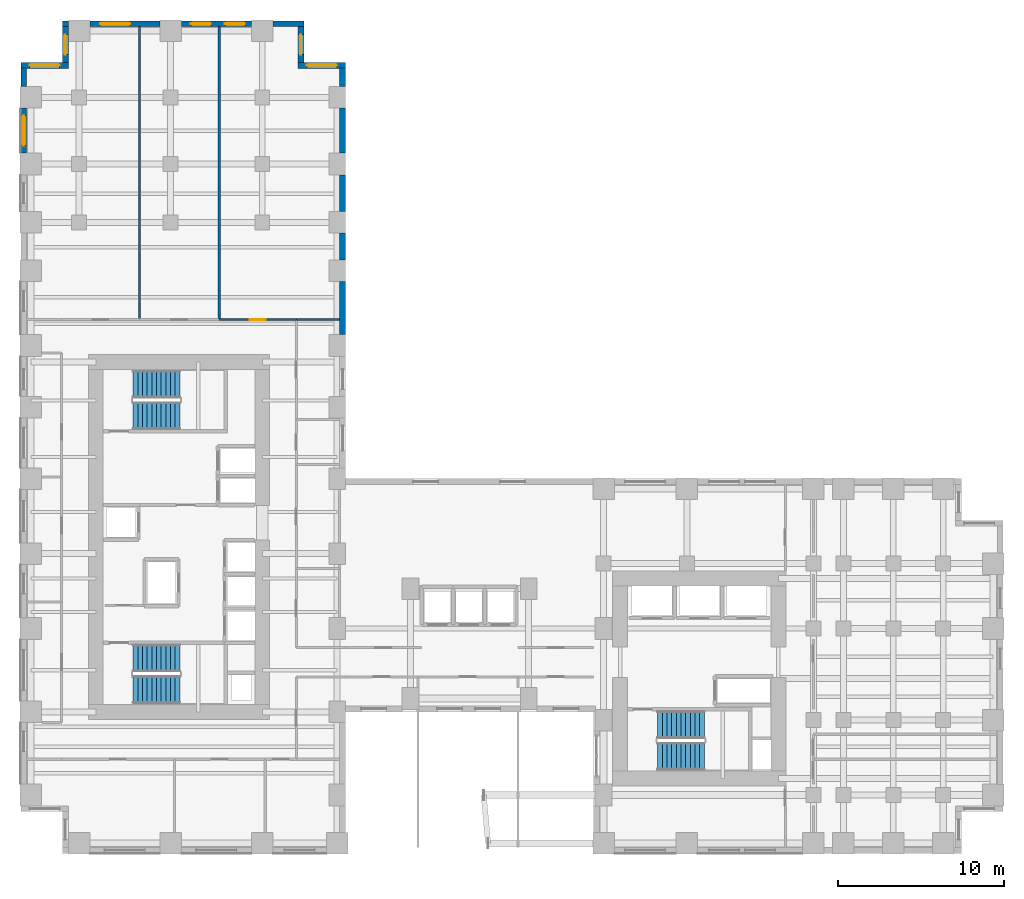
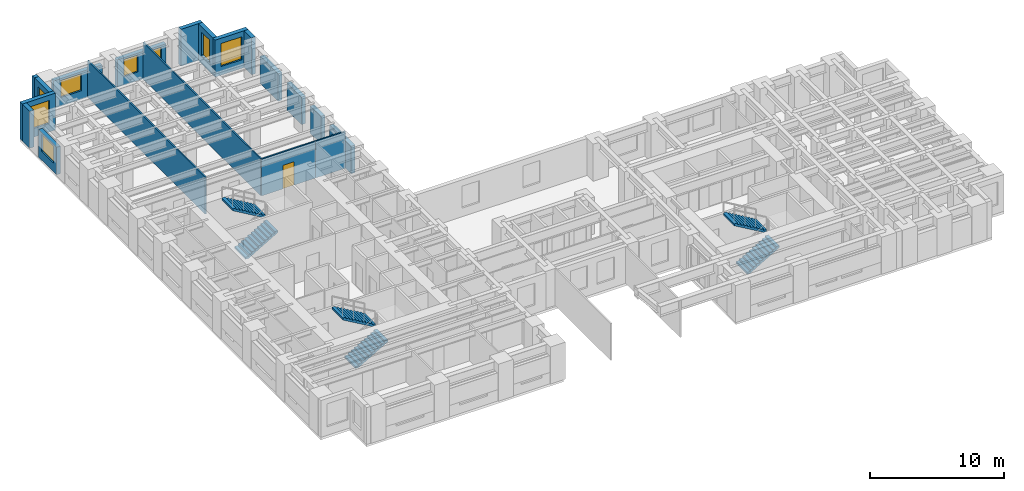
# One storey, part 12 of 14: 19 walls, 8 windows, 6 stair flights, 1 door, 9 openings, 3 elements without a shape of their own.
"""IFC4 building model written with IfcOpenShell, lengths in metres."""

from ifc_helpers import new_model, si_unit, direction, frame, frame_2d, origin, place, context, subcontext, project, spatial, polyline, rectangle, outline, extrude, source, transform, mapped, material, layer, layer_set, type_object, element, fill, aggregate, save


model = new_model("IFC4")

# Units and contexts
model_context = context("Model", 3, precision=1e-05, world=origin(), true_north=direction((0.0, 1.0)))
body_context = subcontext(model_context, "Body", "Model", "MODEL_VIEW")
ifc_project = project(units=[si_unit("LENGTHUNIT", "METRE"), si_unit("AREAUNIT", "SQUARE_METRE"), si_unit("VOLUMEUNIT", "CUBIC_METRE"), si_unit("PLANEANGLEUNIT", "RADIAN"), si_unit("MASSUNIT", "GRAM", prefix="KILO")], contexts=[model_context])

# Site, building, storey
site_placement = place(None, origin())
site = spatial("IfcSite", under=ifc_project, at=site_placement, CompositionType="ELEMENT")
building_placement = place(site_placement, origin())
building = spatial("IfcBuilding", under=site, at=building_placement, Name="Kharzan Plaza Tower", CompositionType="ELEMENT")
storey_placement = place(building_placement, frame((0.0, 0.0, 58.5)))
storey = spatial("IfcBuildingStorey", under=building, at=storey_placement, Name="L15", CompositionType="ELEMENT", Elevation=58.5)

# Wall, opening, window
ifc_material_1 = material(Name="Concrete C40/50", Category="concrete")
ifc_layer_1 = layer(ifc_material_1, 0.35009765625)
ifc_layer_set_1 = layer_set([ifc_layer_1], Name="Concrete C40/50")
wall_type_1 = type_object("IfcWallType", Name="WL-EXT-MAS-Z1", PredefinedType="SOLIDWALL", material=ifc_layer_set_1)
wall_1_placement = place(storey_placement, frame((19.5, 47.324951171875, 0.0), z_axis=(0.0, 0.0, 1.0), x_axis=(-1.0, 0.0, 0.0)))
wall_1 = element("IfcWall", 1, at=wall_1_placement, inside=storey, type_object=wall_type_1, Name="L15 Masonry-Frame Exterior Wall 01", PredefinedType="SOLIDWALL", context=body_context, shape_type="SweptSolid", body=[
    extrude(rectangle(XDim=2.85009765625, YDim=0.35009765625, at=frame_2d((1.425048828125, 0.0))), origin(), (0.0, 0.0, 1.0), 3.364990234375),
])
opening_1_placement = place(wall_1_placement, frame((0.52490234375, 0.0, 0.780029296875)))
opening_1 = element("IfcOpeningElement", 2, at=opening_1_placement, cuts=wall_1, Name="Opening W1", PredefinedType="OPENING", context=body_context, shape_type="SweptSolid", body=[
    extrude(rectangle(XDim=1.800048828125, YDim=2.10009765625, at=frame_2d((0.89990234375, 1.050048828125))), frame((0.0, 0.18505859375, 0.0), z_axis=(0.0, -1.0, 0.0), x_axis=(1.0, 0.0, 0.0)), (0.0, 0.0, 1.0), 0.3701171875),
])
ifc_material_2 = material(Name="Low-E Double Glazing", Category="glass")
window_type_1 = type_object("IfcWindowType", Name="WN-REC-1800x2100", PartitioningType="SINGLE_PANEL", PredefinedType="WINDOW", material=ifc_material_2)
shared_shape_1 = source(origin(), body_context, "Body", "SweptSolid", [
    extrude(rectangle(XDim=1.800048828125, YDim=2.10009765625, at=frame_2d((0.89990234375, 1.050048828125))), frame((0.0, 0.030029296875, 0.0), z_axis=(0.0, -1.0, 0.0), x_axis=(1.0, 0.0, 0.0)), (0.0, 0.0, 1.0), 0.06005859375),
])
window_1_placement = place(opening_1_placement, origin())
window_1 = element("IfcWindow", 3, at=window_1_placement, inside=storey, type_object=window_type_1, Name="L15 Recessed Solar-Control Window 01-1", OverallHeight=2.10009765625, OverallWidth=1.800048828125, PartitioningType="SINGLE_PANEL", PredefinedType="WINDOW", context=body_context, shape_type="MappedRepresentation", body=[
    mapped(shared_shape_1, transform((0.0, 0.0, 0.0), x_axis=(1.0, 0.0, 0.0), y_axis=(0.0, 1.0, 0.0), z_axis=(0.0, 0.0, 1.0))),
])
fill(opening_1, window_1)

wall_2_placement = place(storey_placement, frame((16.824951171875, 47.498046875, 0.0), z_axis=(0.0, 0.0, 1.0), x_axis=(0.0, 1.0, 0.0)))
wall_2 = element("IfcWall", 4, at=wall_2_placement, inside=storey, type_object=wall_type_1, Name="L15 Masonry-Frame Exterior Wall 02", PredefinedType="SOLIDWALL", context=body_context, shape_type="SweptSolid", body=[
    extrude(rectangle(XDim=2.154052734375, YDim=0.35009765625, at=frame_2d((1.0771484375, 0.0))), origin(), (0.0, 0.0, 1.0), 3.364990234375),
])
opening_2_placement = place(wall_2_placement, frame((0.47705078125, 0.0, 0.780029296875)))
opening_2 = element("IfcOpeningElement", 5, at=opening_2_placement, cuts=wall_2, Name="Opening W3", PredefinedType="OPENING", context=body_context, shape_type="SweptSolid", body=[
    extrude(rectangle(XDim=1.199951171875, YDim=2.10009765625, at=frame_2d((0.60009765625, 1.050048828125))), frame((0.0, 0.18505859375, 0.0), z_axis=(0.0, -1.0, 0.0), x_axis=(1.0, 0.0, 0.0)), (0.0, 0.0, 1.0), 0.3701171875),
])
window_type_2 = type_object("IfcWindowType", Name="WN-REC-1200x2100", PartitioningType="SINGLE_PANEL", PredefinedType="WINDOW", material=ifc_material_2)
shared_shape_2 = source(origin(), body_context, "Body", "SweptSolid", [
    extrude(rectangle(XDim=1.199951171875, YDim=2.10009765625, at=frame_2d((0.60009765625, 1.050048828125))), frame((0.0, 0.030029296875, 0.0), z_axis=(0.0, -1.0, 0.0), x_axis=(1.0, 0.0, 0.0)), (0.0, 0.0, 1.0), 0.06005859375),
])
window_2_placement = place(opening_2_placement, origin())
window_2 = element("IfcWindow", 6, at=window_2_placement, inside=storey, type_object=window_type_2, Name="L15 Recessed Solar-Control Window 02-1", OverallHeight=2.10009765625, OverallWidth=1.199951171875, PartitioningType="SINGLE_PANEL", PredefinedType="WINDOW", context=body_context, shape_type="MappedRepresentation", body=[
    mapped(shared_shape_2, transform((0.0, 0.0, 0.0), x_axis=(1.0, 0.0, 0.0), y_axis=(0.0, 1.0, 0.0), z_axis=(0.0, 0.0, 1.0))),
])
fill(opening_2, window_2)

# Wall, openings, windows
wall_3_placement = place(storey_placement, frame((13.85205078125, 49.824951171875, 0.0), z_axis=(0.0, 0.0, 1.0), x_axis=(-1.0, 0.0, 0.0)))
wall_3 = element("IfcWall", 7, at=wall_3_placement, inside=storey, type_object=wall_type_1, Name="L15 Masonry-Frame Exterior Wall 04", PredefinedType="SOLIDWALL", context=body_context, shape_type="SweptSolid", body=[
    extrude(rectangle(XDim=4.2041015625, YDim=0.35009765625, at=frame_2d((2.10205078125, 0.0))), origin(), (0.0, 0.0, 1.0), 2.510009765625),
])
opening_3_placement = place(wall_3_placement, frame((0.403076171875, 0.0, 0.780029296875)))
opening_3 = element("IfcOpeningElement", 8, at=opening_3_placement, cuts=wall_3, Name="Opening W3", PredefinedType="OPENING", context=body_context, shape_type="SweptSolid", body=[
    extrude(rectangle(XDim=1.199951171875, YDim=1.550048828125, at=frame_2d((0.60009765625, 0.77490234375))), frame((0.0, 0.18505859375, 0.0), z_axis=(0.0, -1.0, 0.0), x_axis=(1.0, 0.0, 0.0)), (0.0, 0.0, 1.0), 0.3701171875),
])
opening_4_placement = place(wall_3_placement, frame((2.43505859375, 0.0, 0.780029296875)))
opening_4 = element("IfcOpeningElement", 9, at=opening_4_placement, cuts=wall_3, Name="Opening W3", PredefinedType="OPENING", context=body_context, shape_type="SweptSolid", body=[
    extrude(rectangle(XDim=1.199951171875, YDim=1.550048828125, at=frame_2d((0.60009765625, 0.77490234375))), frame((0.0, 0.18505859375, 0.0), z_axis=(0.0, -1.0, 0.0), x_axis=(1.0, 0.0, 0.0)), (0.0, 0.0, 1.0), 0.3701171875),
])
shared_shape_3 = source(origin(), body_context, "Body", "SweptSolid", [
    extrude(rectangle(XDim=1.199951171875, YDim=1.550048828125, at=frame_2d((0.60009765625, 0.77490234375))), frame((0.0, 0.030029296875, 0.0), z_axis=(0.0, -1.0, 0.0), x_axis=(1.0, 0.0, 0.0)), (0.0, 0.0, 1.0), 0.06005859375),
])
window_3_placement = place(opening_3_placement, origin())
window_3 = element("IfcWindow", 10, at=window_3_placement, inside=storey, type_object=window_type_2, Name="L15 Recessed Solar-Control Window 04-1", OverallHeight=1.550048828125, OverallWidth=1.199951171875, PartitioningType="SINGLE_PANEL", PredefinedType="WINDOW", context=body_context, shape_type="MappedRepresentation", body=[
    mapped(shared_shape_3, transform((0.0, 0.0, 0.0), x_axis=(1.0, 0.0, 0.0), y_axis=(0.0, 1.0, 0.0), z_axis=(0.0, 0.0, 1.0))),
])
fill(opening_3, window_3)
window_4_placement = place(opening_4_placement, origin())
window_4 = element("IfcWindow", 11, at=window_4_placement, inside=storey, type_object=window_type_2, Name="L15 Recessed Solar-Control Window 04-2", OverallHeight=1.550048828125, OverallWidth=1.199951171875, PartitioningType="SINGLE_PANEL", PredefinedType="WINDOW", context=body_context, shape_type="MappedRepresentation", body=[
    mapped(shared_shape_3, transform((0.0, 0.0, 0.0), x_axis=(1.0, 0.0, 0.0), y_axis=(0.0, 1.0, 0.0), z_axis=(0.0, 0.0, 1.0))),
])
fill(opening_4, window_4)

# Wall, opening, window
wall_4_placement = place(storey_placement, frame((8.35205078125, 49.824951171875, 0.0), z_axis=(0.0, 0.0, 1.0), x_axis=(-1.0, 0.0, 0.0)))
wall_4 = element("IfcWall", 12, at=wall_4_placement, inside=storey, type_object=wall_type_1, Name="L15 Masonry-Frame Exterior Wall 05", PredefinedType="SOLIDWALL", context=body_context, shape_type="SweptSolid", body=[
    extrude(rectangle(XDim=4.2041015625, YDim=0.35009765625, at=frame_2d((2.10205078125, 0.0))), origin(), (0.0, 0.0, 1.0), 2.510009765625),
])
opening_5_placement = place(wall_4_placement, frame((1.782470703125, 0.0, 0.780029296875)))
opening_5 = element("IfcOpeningElement", 13, at=opening_5_placement, cuts=wall_4, Name="Opening W1", PredefinedType="OPENING", context=body_context, shape_type="SweptSolid", body=[
    extrude(rectangle(XDim=1.800048828125, YDim=1.550048828125, at=frame_2d((0.89990234375, 0.77490234375))), frame((0.0, 0.18505859375, 0.0), z_axis=(0.0, -1.0, 0.0), x_axis=(1.0, 0.0, 0.0)), (0.0, 0.0, 1.0), 0.3701171875),
])
shared_shape_4 = source(origin(), body_context, "Body", "SweptSolid", [
    extrude(rectangle(XDim=1.800048828125, YDim=1.550048828125, at=frame_2d((0.89990234375, 0.77490234375))), frame((0.0, 0.030029296875, 0.0), z_axis=(0.0, -1.0, 0.0), x_axis=(1.0, 0.0, 0.0)), (0.0, 0.0, 1.0), 0.06005859375),
])
window_5_placement = place(opening_5_placement, origin())
window_5 = element("IfcWindow", 14, at=window_5_placement, inside=storey, type_object=window_type_1, Name="L15 Recessed Solar-Control Window 05-1", OverallHeight=1.550048828125, OverallWidth=1.800048828125, PartitioningType="SINGLE_PANEL", PredefinedType="WINDOW", context=body_context, shape_type="MappedRepresentation", body=[
    mapped(shared_shape_4, transform((0.0, 0.0, 0.0), x_axis=(1.0, 0.0, 0.0), y_axis=(0.0, 1.0, 0.0), z_axis=(0.0, 0.0, 1.0))),
])
fill(opening_5, window_5)

wall_5_placement = place(storey_placement, frame((2.675048828125, 49.652099609375, 0.0), z_axis=(0.0, 0.0, 1.0), x_axis=(0.0, -1.0, 0.0)))
wall_5 = element("IfcWall", 15, at=wall_5_placement, inside=storey, type_object=wall_type_1, Name="L15 Masonry-Frame Exterior Wall 07", PredefinedType="SOLIDWALL", context=body_context, shape_type="SweptSolid", body=[
    extrude(rectangle(XDim=2.154052734375, YDim=0.35009765625, at=frame_2d((1.0771484375, 0.0))), origin(), (0.0, 0.0, 1.0), 3.364990234375),
])
opening_6_placement = place(wall_5_placement, frame((0.47705078125, 0.0, 0.780029296875)))
opening_6 = element("IfcOpeningElement", 16, at=opening_6_placement, cuts=wall_5, Name="Opening W3", PredefinedType="OPENING", context=body_context, shape_type="SweptSolid", body=[
    extrude(rectangle(XDim=1.199951171875, YDim=2.10009765625, at=frame_2d((0.60009765625, 1.050048828125))), frame((0.0, 0.18505859375, 0.0), z_axis=(0.0, -1.0, 0.0), x_axis=(1.0, 0.0, 0.0)), (0.0, 0.0, 1.0), 0.3701171875),
])
window_6_placement = place(opening_6_placement, origin())
window_6 = element("IfcWindow", 17, at=window_6_placement, inside=storey, type_object=window_type_2, Name="L15 Recessed Solar-Control Window 07-1", OverallHeight=2.10009765625, OverallWidth=1.199951171875, PartitioningType="SINGLE_PANEL", PredefinedType="WINDOW", context=body_context, shape_type="MappedRepresentation", body=[
    mapped(shared_shape_2, transform((0.0, 0.0, 0.0), x_axis=(1.0, 0.0, 0.0), y_axis=(0.0, 1.0, 0.0), z_axis=(0.0, 0.0, 1.0))),
])
fill(opening_6, window_6)

wall_6_placement = place(storey_placement, frame((2.85009765625, 47.324951171875, 0.0), z_axis=(0.0, 0.0, 1.0), x_axis=(-1.0, 0.0, 0.0)))
wall_6 = element("IfcWall", 18, at=wall_6_placement, inside=storey, type_object=wall_type_1, Name="L15 Masonry-Frame Exterior Wall 08", PredefinedType="SOLIDWALL", context=body_context, shape_type="SweptSolid", body=[
    extrude(rectangle(XDim=2.85009765625, YDim=0.35009765625, at=frame_2d((1.425048828125, 0.0))), origin(), (0.0, 0.0, 1.0), 3.364990234375),
])
opening_7_placement = place(wall_6_placement, frame((0.52490234375, 0.0, 0.780029296875)))
opening_7 = element("IfcOpeningElement", 19, at=opening_7_placement, cuts=wall_6, Name="Opening W1", PredefinedType="OPENING", context=body_context, shape_type="SweptSolid", body=[
    extrude(rectangle(XDim=1.800048828125, YDim=2.10009765625, at=frame_2d((0.89990234375, 1.050048828125))), frame((0.0, 0.18505859375, 0.0), z_axis=(0.0, -1.0, 0.0), x_axis=(1.0, 0.0, 0.0)), (0.0, 0.0, 1.0), 0.3701171875),
])
window_7_placement = place(opening_7_placement, origin())
window_7 = element("IfcWindow", 20, at=window_7_placement, inside=storey, type_object=window_type_1, Name="L15 Recessed Solar-Control Window 08-1", OverallHeight=2.10009765625, OverallWidth=1.800048828125, PartitioningType="SINGLE_PANEL", PredefinedType="WINDOW", context=body_context, shape_type="MappedRepresentation", body=[
    mapped(shared_shape_1, transform((0.0, 0.0, 0.0), x_axis=(1.0, 0.0, 0.0), y_axis=(0.0, 1.0, 0.0), z_axis=(0.0, 0.0, 1.0))),
])
fill(opening_7, window_7)

wall_7_placement = place(storey_placement, frame((0.175048828125, 44.751953125, 0.0), z_axis=(0.0, 0.0, 1.0), x_axis=(0.0, -1.0, 0.0)))
wall_7 = element("IfcWall", 21, at=wall_7_placement, inside=storey, type_object=wall_type_1, Name="L15 Masonry-Frame Exterior Wall 10", PredefinedType="SOLIDWALL", context=body_context, shape_type="SweptSolid", body=[
    extrude(rectangle(XDim=2.703857421875, YDim=0.35009765625, at=frame_2d((1.35205078125, 0.0))), origin(), (0.0, 0.0, 1.0), 2.510009765625),
])
opening_8_placement = place(wall_7_placement, frame((0.451904296875, 0.0, 0.780029296875)))
opening_8 = element("IfcOpeningElement", 22, at=opening_8_placement, cuts=wall_7, Name="Opening W1", PredefinedType="OPENING", context=body_context, shape_type="SweptSolid", body=[
    extrude(rectangle(XDim=1.800048828125, YDim=1.550048828125, at=frame_2d((0.89990234375, 0.77490234375))), frame((0.0, 0.18505859375, 0.0), z_axis=(0.0, -1.0, 0.0), x_axis=(1.0, 0.0, 0.0)), (0.0, 0.0, 1.0), 0.3701171875),
])
window_8_placement = place(opening_8_placement, origin())
window_8 = element("IfcWindow", 23, at=window_8_placement, inside=storey, type_object=window_type_1, Name="L15 Recessed Solar-Control Window 10-1", OverallHeight=1.550048828125, OverallWidth=1.800048828125, PartitioningType="SINGLE_PANEL", PredefinedType="WINDOW", context=body_context, shape_type="MappedRepresentation", body=[
    mapped(shared_shape_4, transform((0.0, 0.0, 0.0), x_axis=(1.0, 0.0, 0.0), y_axis=(0.0, 1.0, 0.0), z_axis=(0.0, 0.0, 1.0))),
])
fill(opening_8, window_8)

# Wall, opening, door
ifc_material_3 = material(Name="Fire-Rated Gypsum Board Partition", Category="gypsum")
ifc_layer_2 = layer(ifc_material_3, 0.125)
ifc_layer_set_2 = layer_set([ifc_layer_2], Name="Fire-Rated Gypsum Board Partition")
wall_type_2 = type_object("IfcWallType", Name="WL-INT-PART-125", PredefinedType="PARTITIONING", material=ifc_layer_set_2)
wall_8_placement = place(storey_placement, frame((11.916015625, 32.050048828125, 0.0), z_axis=(0.0, 0.0, 1.0), x_axis=(1.0, 0.0, 0.0)))
wall_8 = element("IfcWall", 24, at=wall_8_placement, inside=storey, type_object=wall_type_2, Name="L15 Interior Partition SH-NN-3", PredefinedType="PARTITIONING", context=body_context, shape_type="SweptSolid", body=[
    extrude(rectangle(XDim=4.634033203125, YDim=0.125, at=frame_2d((2.31689453125, 0.0))), origin(), (0.0, 0.0, 1.0), 3.364990234375),
])
opening_9_placement = place(wall_8_placement, frame((1.842041015625, 0.0, 0.0)))
opening_9 = element("IfcOpeningElement", 25, at=opening_9_placement, cuts=wall_8, Name="Opening OD1", PredefinedType="OPENING", context=body_context, shape_type="SweptSolid", body=[
    extrude(rectangle(XDim=0.949951171875, YDim=2.14990234375, at=frame_2d((0.47509765625, 1.074951171875))), frame((0.0, 0.072509765625, 0.0), z_axis=(0.0, -1.0, 0.0), x_axis=(1.0, 0.0, 0.0)), (0.0, 0.0, 1.0), 0.14501953125),
])
ifc_material_4 = material(Name="Acoustic Solid-Core Stained Oak", Category="timber")
door_type = type_object("IfcDoorType", Name="DR-OFF-SINGLE", OperationType="NOTDEFINED", PredefinedType="DOOR", material=ifc_material_4)
shared_shape_5 = source(origin(), body_context, "Body", "SweptSolid", [
    extrude(rectangle(XDim=0.949951171875, YDim=2.14990234375, at=frame_2d((0.47509765625, 1.074951171875))), frame((0.0, 0.02490234375, 0.0), z_axis=(0.0, -1.0, 0.0), x_axis=(1.0, 0.0, 0.0)), (0.0, 0.0, 1.0), 0.050048828125),
])
door_placement = place(opening_9_placement, origin())
door = element("IfcDoor", 26, at=door_placement, inside=storey, type_object=door_type, Name="L15 Hydrodynamics Computing Lab Door", OperationType="SINGLE_SWING_RIGHT", OverallHeight=2.14990234375, OverallWidth=0.949951171875, PredefinedType="DOOR", context=body_context, shape_type="MappedRepresentation", body=[
    mapped(shared_shape_5, transform((0.0, 0.0, 0.0), x_axis=(1.0, 0.0, 0.0), y_axis=(0.0, 1.0, 0.0), z_axis=(0.0, 0.0, 1.0))),
])
fill(opening_9, door)

# Walls
shared_shape_6 = source(origin(), body_context, "Body", "SweptSolid", [
    extrude(rectangle(XDim=1.85205078125, YDim=0.35009765625, at=frame_2d((0.926025390625, 0.0))), origin(), (0.0, 0.0, 1.0), 3.364990234375),
])
wall_9_placement = place(storey_placement, frame((17.0, 49.824951171875, 0.0), z_axis=(0.0, 0.0, 1.0), x_axis=(-1.0, 0.0, 0.0)))
element("IfcWall", 27, at=wall_9_placement, inside=storey, type_object=wall_type_1, Name="L15 Masonry-Frame Exterior Wall 03", PredefinedType="SOLIDWALL", context=body_context, shape_type="MappedRepresentation", body=[
    mapped(shared_shape_6, transform((0.0, 0.0, 0.0), x_axis=(1.0, 0.0, 0.0), y_axis=(0.0, 1.0, 0.0), z_axis=(0.0, 0.0, 1.0))),
])
shared_shape_7 = source(origin(), body_context, "Body", "SweptSolid", [
    extrude(rectangle(XDim=0.35205078125, YDim=0.35009765625, at=frame_2d((0.176025390625, 0.0))), origin(), (0.0, 0.0, 1.0), 3.364990234375),
])
wall_10_placement = place(storey_placement, frame((2.85205078125, 49.824951171875, 0.0), z_axis=(0.0, 0.0, 1.0), x_axis=(-1.0, 0.0, 0.0)))
element("IfcWall", 28, at=wall_10_placement, inside=storey, type_object=wall_type_1, Name="L15 Masonry-Frame Exterior Wall 06", PredefinedType="SOLIDWALL", context=body_context, shape_type="MappedRepresentation", body=[
    mapped(shared_shape_7, transform((0.0, 0.0, 0.0), x_axis=(1.0, 0.0, 0.0), y_axis=(0.0, 1.0, 0.0), z_axis=(0.0, 0.0, 1.0))),
])
shared_shape_8 = source(origin(), body_context, "Body", "SweptSolid", [
    extrude(rectangle(XDim=1.10400390625, YDim=0.35009765625, at=frame_2d((0.552001953125, 0.0))), origin(), (0.0, 0.0, 1.0), 3.364990234375),
])
for number, where, z_axis, x_axis, name in (
    (29, (0.175048828125, 47.152099609375, 0.0), (0.0, 0.0, 1.0), (0.0, -1.0, 0.0), "L15 Masonry-Frame Exterior Wall 09"),
    (30, (19.324951171875, 46.048095703125, 0.0), (0.0, 0.0, 1.0), (0.0, 1.0, 0.0), "L15 Masonry-Frame Exterior Wall 61"),
):
    element("IfcWall", number, at=place(storey_placement, frame(where, z_axis=z_axis, x_axis=x_axis)), inside=storey, type_object=wall_type_1, Name=name, PredefinedType="SOLIDWALL", context=body_context, shape_type="MappedRepresentation", body=[
        mapped(shared_shape_8, transform((0.0, 0.0, 0.0), x_axis=(1.0, 0.0, 0.0), y_axis=(0.0, 1.0, 0.0), z_axis=(0.0, 0.0, 1.0))),
    ])
shared_shape_9 = source(origin(), body_context, "Body", "SweptSolid", [
    extrude(rectangle(XDim=1.60400390625, YDim=0.35009765625, at=frame_2d((0.802001953125, 0.0))), origin(), (0.0, 0.0, 1.0), 2.510009765625),
])
wall_11_placement = place(storey_placement, frame((19.324951171875, 35.64794921875, 0.0), z_axis=(0.0, 0.0, 1.0), x_axis=(0.0, 1.0, 0.0)))
element("IfcWall", 31, at=wall_11_placement, inside=storey, type_object=wall_type_1, Name="L15 Masonry-Frame Exterior Wall 58", PredefinedType="SOLIDWALL", context=body_context, shape_type="MappedRepresentation", body=[
    mapped(shared_shape_9, transform((0.0, 0.0, 0.0), x_axis=(1.0, 0.0, 0.0), y_axis=(0.0, 1.0, 0.0), z_axis=(0.0, 0.0, 1.0))),
])
shared_shape_10 = source(origin(), body_context, "Body", "SweptSolid", [
    extrude(rectangle(XDim=3.2041015625, YDim=0.35009765625, at=frame_2d((1.60205078125, 0.0))), origin(), (0.0, 0.0, 1.0), 2.510009765625),
])
wall_12_placement = place(storey_placement, frame((19.324951171875, 31.14794921875, 0.0), z_axis=(0.0, 0.0, 1.0), x_axis=(0.0, 1.0, 0.0)))
element("IfcWall", 32, at=wall_12_placement, inside=storey, type_object=wall_type_1, Name="L15 Masonry-Frame Exterior Wall 57", PredefinedType="SOLIDWALL", context=body_context, shape_type="MappedRepresentation", body=[
    mapped(shared_shape_10, transform((0.0, 0.0, 0.0), x_axis=(1.0, 0.0, 0.0), y_axis=(0.0, 1.0, 0.0), z_axis=(0.0, 0.0, 1.0))),
])
shared_shape_11 = source(origin(), body_context, "Body", "SweptSolid", [
    extrude(rectangle(XDim=2.203857421875, YDim=0.35009765625, at=frame_2d((1.10205078125, 0.0))), origin(), (0.0, 0.0, 1.0), 2.510009765625),
])
wall_13_placement = place(storey_placement, frame((19.324951171875, 38.548095703125, 0.0), z_axis=(0.0, 0.0, 1.0), x_axis=(0.0, 1.0, 0.0)))
element("IfcWall", 33, at=wall_13_placement, inside=storey, type_object=wall_type_1, Name="L15 Masonry-Frame Exterior Wall 59", PredefinedType="SOLIDWALL", context=body_context, shape_type="MappedRepresentation", body=[
    mapped(shared_shape_11, transform((0.0, 0.0, 0.0), x_axis=(1.0, 0.0, 0.0), y_axis=(0.0, 1.0, 0.0), z_axis=(0.0, 0.0, 1.0))),
])
shared_shape_12 = source(origin(), body_context, "Body", "SweptSolid", [
    extrude(rectangle(XDim=2.703857421875, YDim=0.35009765625, at=frame_2d((1.35205078125, 0.0))), origin(), (0.0, 0.0, 1.0), 2.510009765625),
])
wall_14_placement = place(storey_placement, frame((19.324951171875, 42.048095703125, 0.0), z_axis=(0.0, 0.0, 1.0), x_axis=(0.0, 1.0, 0.0)))
element("IfcWall", 34, at=wall_14_placement, inside=storey, type_object=wall_type_1, Name="L15 Masonry-Frame Exterior Wall 60", PredefinedType="SOLIDWALL", context=body_context, shape_type="MappedRepresentation", body=[
    mapped(shared_shape_12, transform((0.0, 0.0, 0.0), x_axis=(1.0, 0.0, 0.0), y_axis=(0.0, 1.0, 0.0), z_axis=(0.0, 0.0, 1.0))),
])
shared_shape_13 = source(origin(), body_context, "Body", "SweptSolid", [
    extrude(rectangle(XDim=2.597900390625, YDim=0.125, at=frame_2d((1.298828125, 0.0))), origin(), (0.0, 0.0, 1.0), 3.364990234375),
])
wall_15_placement = place(storey_placement, frame((16.550048828125, 32.050048828125, 0.0), z_axis=(0.0, 0.0, 1.0), x_axis=(1.0, 0.0, 0.0)))
element("IfcWall", 35, at=wall_15_placement, inside=storey, type_object=wall_type_2, Name="L15 Interior Partition SH-NNE0", PredefinedType="PARTITIONING", context=body_context, shape_type="MappedRepresentation", body=[
    mapped(shared_shape_13, transform((0.0, 0.0, 0.0), x_axis=(1.0, 0.0, 0.0), y_axis=(0.0, 1.0, 0.0), z_axis=(0.0, 0.0, 1.0))),
])
shared_shape_14 = source(origin(), body_context, "Body", "SweptSolid", [
    extrude(rectangle(XDim=17.597900390625, YDim=0.125, at=frame_2d((8.798828125, 0.0))), origin(), (0.0, 0.0, 1.0), 3.364990234375),
])
for number, where, z_axis, x_axis, name in (
    (36, (7.12109375, 32.050048828125, 0.0), (0.0, 0.0, 1.0), (0.0, 1.0, 0.0), "L15 Interior Partition SH-NV-1"),
    (37, (11.916015625, 32.050048828125, 0.0), (0.0, 0.0, 1.0), (0.0, 1.0, 0.0), "L15 Interior Partition SH-NV-2"),
):
    element("IfcWall", number, at=place(storey_placement, frame(where, z_axis=z_axis, x_axis=x_axis)), inside=storey, type_object=wall_type_2, Name=name, PredefinedType="PARTITIONING", context=body_context, shape_type="MappedRepresentation", body=[
        mapped(shared_shape_14, transform((0.0, 0.0, 0.0), x_axis=(1.0, 0.0, 0.0), y_axis=(0.0, 1.0, 0.0), z_axis=(0.0, 0.0, 1.0))),
    ])

# Stair, stair flights
stair_type_1 = type_object("IfcStairType", Name="STR-ST-1", PredefinedType="HALF_TURN_STAIR", material=ifc_material_1)
stair_1_placement = place(storey_placement, origin())
stair_1 = element("IfcStair", 38, at=stair_1_placement, inside=storey, type_object=stair_type_1, Name="L15 Protected Exit Stair ST-1", PredefinedType="HALF_TURN_STAIR")
stair_flight_type = type_object("IfcStairFlightType", Name="SFL-1650-R173", PredefinedType="STRAIGHT", material=ifc_material_1)
shared_shape_15 = source(origin(), body_context, "Body", "SweptSolid", [
    extrude(outline(polyline([(-0.0029296875, -0.011962890625), (-0.0029296875, 0.0), (0.0, 0.0), (0.0, 0.16357421875), (0.280029296875, 0.16357421875), (0.280029296875, 0.3271484375), (0.56005859375, 0.3271484375), (0.56005859375, 0.49072265625), (0.840087890625, 0.49072265625), (0.840087890625, 0.654296875), (1.1201171875, 0.654296875), (1.1201171875, 0.81787109375), (1.400146484375, 0.81787109375), (1.400146484375, 0.9814453125), (1.68017578125, 0.9814453125), (1.68017578125, 1.14501953125), (1.960205078125, 1.14501953125), (1.960205078125, 1.30859375), (2.240234375, 1.30859375), (2.240234375, 1.47216796875), (2.520263671875, 1.47216796875), (2.520263671875, 1.6357421875), (2.80029296875, 1.6357421875), (2.80029296875, 1.79931640625), (2.80029296875, 1.462158203125), (0.297119140625, 0.0), (0.297119140625, -0.011962890625), (-0.0029296875, -0.011962890625)])), frame((0.0, 0.824951171875, 0.0), z_axis=(0.0, -1.0, 0.0), x_axis=(1.0, 0.0, 0.0)), (0.0, 0.0, 1.0), 1.64990234375),
])
stair_flight_1_placement = place(storey_placement, frame((6.75, 9.824951171875, 0.0), z_axis=(0.0, 0.0, 1.0), x_axis=(1.0, 0.0, 0.0)))
stair_flight_1 = element("IfcStairFlight", 39, at=stair_flight_1_placement, type_object=stair_flight_type, Name="ST-1 flight 1", NumberOfRisers=11, NumberOfTreads=10, PredefinedType="STRAIGHT", RiserHeight=0.163636364, TreadLength=0.28, context=body_context, shape_type="MappedRepresentation", body=[
    mapped(shared_shape_15, transform((0.0, 0.0, 0.0), x_axis=(1.0, 0.0, 0.0), y_axis=(0.0, 1.0, 0.0), z_axis=(0.0, 0.0, 1.0))),
])
stair_flight_2_placement = place(storey_placement, frame((9.550048828125, 11.72509765625, 1.800048828125), z_axis=(0.0, 0.0, 1.0), x_axis=(-1.0, 0.0, 0.0)))
stair_flight_2 = element("IfcStairFlight", 40, at=stair_flight_2_placement, type_object=stair_flight_type, Name="ST-1 flight 2", NumberOfRisers=11, NumberOfTreads=10, PredefinedType="STRAIGHT", RiserHeight=0.163636364, TreadLength=0.28, context=body_context, shape_type="MappedRepresentation", body=[
    mapped(shared_shape_15, transform((0.0, 0.0, 0.0), x_axis=(1.0, 0.0, 0.0), y_axis=(0.0, 1.0, 0.0), z_axis=(0.0, 0.0, 1.0))),
])
aggregate(stair_1, [stair_flight_1, stair_flight_2])

stair_type_2 = type_object("IfcStairType", Name="STR-ST-2", PredefinedType="HALF_TURN_STAIR", material=ifc_material_1)
stair_2_placement = place(storey_placement, origin())
stair_2 = element("IfcStair", 41, at=stair_2_placement, inside=storey, type_object=stair_type_2, Name="L15 Protected Exit Stair ST-2", PredefinedType="HALF_TURN_STAIR")
stair_flight_3_placement = place(storey_placement, frame((6.75, 26.27490234375, 0.0), z_axis=(0.0, 0.0, 1.0), x_axis=(1.0, 0.0, 0.0)))
stair_flight_3 = element("IfcStairFlight", 42, at=stair_flight_3_placement, type_object=stair_flight_type, Name="ST-2 flight 1", NumberOfRisers=11, NumberOfTreads=10, PredefinedType="STRAIGHT", RiserHeight=0.163636364, TreadLength=0.28, context=body_context, shape_type="MappedRepresentation", body=[
    mapped(shared_shape_15, transform((0.0, 0.0, 0.0), x_axis=(1.0, 0.0, 0.0), y_axis=(0.0, 1.0, 0.0), z_axis=(0.0, 0.0, 1.0))),
])
stair_flight_4_placement = place(storey_placement, frame((9.550048828125, 28.175048828125, 1.800048828125), z_axis=(0.0, 0.0, 1.0), x_axis=(-1.0, 0.0, 0.0)))
stair_flight_4 = element("IfcStairFlight", 43, at=stair_flight_4_placement, type_object=stair_flight_type, Name="ST-2 flight 2", NumberOfRisers=11, NumberOfTreads=10, PredefinedType="STRAIGHT", RiserHeight=0.163636364, TreadLength=0.28, context=body_context, shape_type="MappedRepresentation", body=[
    mapped(shared_shape_15, transform((0.0, 0.0, 0.0), x_axis=(1.0, 0.0, 0.0), y_axis=(0.0, 1.0, 0.0), z_axis=(0.0, 0.0, 1.0))),
])
aggregate(stair_2, [stair_flight_3, stair_flight_4])

stair_type_3 = type_object("IfcStairType", Name="STR-ST-3", PredefinedType="HALF_TURN_STAIR", material=ifc_material_1)
stair_3_placement = place(storey_placement, origin())
stair_3 = element("IfcStair", 44, at=stair_3_placement, inside=storey, type_object=stair_type_3, Name="L15 Protected Exit Stair ST-3", PredefinedType="HALF_TURN_STAIR")
stair_flight_5_placement = place(storey_placement, frame((38.25, 5.824951171875, 0.0), z_axis=(0.0, 0.0, 1.0), x_axis=(1.0, 0.0, 0.0)))
stair_flight_5 = element("IfcStairFlight", 45, at=stair_flight_5_placement, type_object=stair_flight_type, Name="ST-3 flight 1", NumberOfRisers=11, NumberOfTreads=10, PredefinedType="STRAIGHT", RiserHeight=0.163636364, TreadLength=0.28, context=body_context, shape_type="MappedRepresentation", body=[
    mapped(shared_shape_15, transform((0.0, 0.0, 0.0), x_axis=(1.0, 0.0, 0.0), y_axis=(0.0, 1.0, 0.0), z_axis=(0.0, 0.0, 1.0))),
])
stair_flight_6_placement = place(storey_placement, frame((41.050048828125, 7.72509765625, 1.800048828125), z_axis=(0.0, 0.0, 1.0), x_axis=(-1.0, 0.0, 0.0)))
stair_flight_6 = element("IfcStairFlight", 46, at=stair_flight_6_placement, type_object=stair_flight_type, Name="ST-3 flight 2", NumberOfRisers=11, NumberOfTreads=10, PredefinedType="STRAIGHT", RiserHeight=0.163636364, TreadLength=0.28, context=body_context, shape_type="MappedRepresentation", body=[
    mapped(shared_shape_15, transform((0.0, 0.0, 0.0), x_axis=(1.0, 0.0, 0.0), y_axis=(0.0, 1.0, 0.0), z_axis=(0.0, 0.0, 1.0))),
])
aggregate(stair_3, [stair_flight_5, stair_flight_6])

save(model, "model.ifc")
